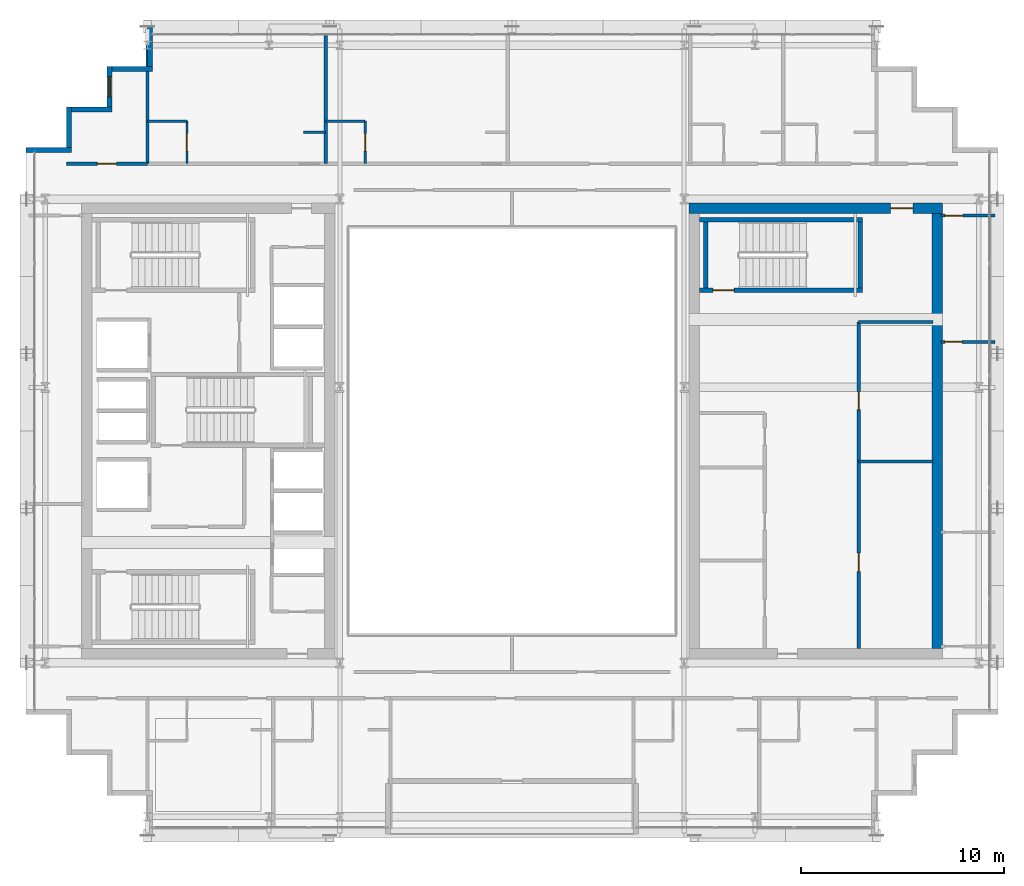
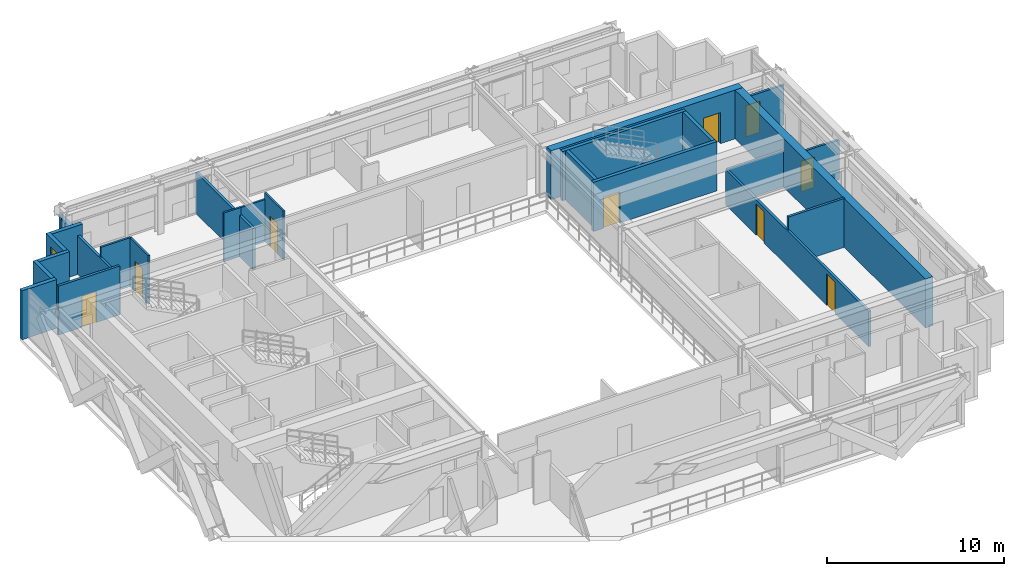
# One storey, part 27 of 32: 25 walls, 9 doors, 1 window, 10 openings.
"""IFC4 building model written with IfcOpenShell, lengths in metres."""

from ifc_helpers import new_model, si_unit, direction, frame, frame_2d, origin, place, context, subcontext, project, spatial, rectangle, extrude, source, transform, mapped, material, layer, layer_set, type_object, element, fill, save


model = new_model("IFC4")

# Units and contexts
model_context = context("Model", 3, precision=1e-05, world=origin(), true_north=direction((0.0, 1.0)))
body_context = subcontext(model_context, "Body", "Model", "MODEL_VIEW")
ifc_project = project(units=[si_unit("LENGTHUNIT", "METRE"), si_unit("AREAUNIT", "SQUARE_METRE"), si_unit("VOLUMEUNIT", "CUBIC_METRE"), si_unit("PLANEANGLEUNIT", "RADIAN"), si_unit("MASSUNIT", "GRAM", prefix="KILO")], contexts=[model_context])

# Site, building, storey
site_placement = place(None, origin())
site = spatial("IfcSite", under=ifc_project, at=site_placement, CompositionType="ELEMENT")
building_placement = place(site_placement, origin())
building = spatial("IfcBuilding", under=site, at=building_placement, Name="Ocotamira Hotel", CompositionType="ELEMENT")
storey_placement = place(building_placement, frame((0.0, 0.0, 177.60009765625)))
storey = spatial("IfcBuildingStorey", under=building, at=storey_placement, Name="L44", CompositionType="ELEMENT", Elevation=177.60009765625)

# Wall, opening, door
ifc_material_1 = material(Name="Concrete C50/60", Category="concrete")
ifc_layer_1 = layer(ifc_material_1, 0.5)
ifc_layer_set_1 = layer_set([ifc_layer_1], Name="Concrete C50/60")
wall_type_1 = type_object("IfcWallType", Name="WL-CORE-500", PredefinedType="SHEAR", material=ifc_layer_set_1)
wall_1_placement = place(storey_placement, frame((40.75, 37.0, 0.0), z_axis=(0.0, 0.0, 1.0), x_axis=(1.0, 0.0, 0.0)))
wall_1 = element("IfcWall", 1, at=wall_1_placement, inside=storey, type_object=wall_type_1, Name="L44 Shear Core Wall ECORE-N", PredefinedType="SHEAR", context=body_context, shape_type="SweptSolid", body=[
    extrude(rectangle(XDim=12.5, YDim=0.5, at=frame_2d((6.25, 0.0))), origin(), (0.0, 0.0, 1.0), 3.369873046875),
])
opening_1_placement = place(wall_1_placement, frame((9.949951171875, 0.0, 0.0)))
opening_1 = element("IfcOpeningElement", 2, at=opening_1_placement, cuts=wall_1, Name="Opening D-FR1", PredefinedType="OPENING", context=body_context, shape_type="SweptSolid", body=[
    extrude(rectangle(XDim=1.10009765625, YDim=2.14990234375, at=frame_2d((0.550048828125, 1.074951171875))), frame((0.0, 0.260009765625, 0.0), z_axis=(0.0, -1.0, 0.0), x_axis=(1.0, 0.0, 0.0)), (0.0, 0.0, 1.0), 0.52001953125),
])
ifc_material_2 = material(Name="Fire-rated acoustic timber-veneer door", Category="wood")
door_type_1 = type_object("IfcDoorType", Name="DR-FIRE-1100", OperationType="NOTDEFINED", PredefinedType="DOOR", material=ifc_material_2)
shared_shape_1 = source(origin(), body_context, "Body", "SweptSolid", [
    extrude(rectangle(XDim=1.10009765625, YDim=2.14990234375, at=frame_2d((0.550048828125, 1.074951171875))), frame((0.0, 0.02490234375, 0.0), z_axis=(0.0, -1.0, 0.0), x_axis=(1.0, 0.0, 0.0)), (0.0, 0.0, 1.0), 0.050048828125),
])
door_1_placement = place(opening_1_placement, origin())
door_1 = element("IfcDoor", 3, at=door_1_placement, inside=storey, type_object=door_type_1, Name="L44 Door ID-L44-ELOB-N-D [ID-L44-ELOB-N-D]", OperationType="SINGLE_SWING_LEFT", OverallHeight=2.14990234375, OverallWidth=1.10009765625, PredefinedType="DOOR", context=body_context, shape_type="MappedRepresentation", body=[
    mapped(shared_shape_1, transform((0.0, 0.0, 0.0), scale=1.0)),
])
fill(opening_1, door_1)

# Walls
wall_2_placement = place(storey_placement, frame((53.0, 15.25, 0.0), z_axis=(0.0, 0.0, 1.0), x_axis=(0.0, 1.0, 0.0)))
element("IfcWall", 4, at=wall_2_placement, inside=storey, type_object=wall_type_1, Name="L44 Shear Core Wall ECORE-E", PredefinedType="SHEAR", context=body_context, shape_type="SweptSolid", body=[
    extrude(rectangle(XDim=21.5, YDim=0.5, at=frame_2d((10.75, 0.0))), origin(), (0.0, 0.0, 1.0), 3.369873046875),
])
ifc_material_3 = material(Name="Precast concrete C45/55", Category="concrete")
ifc_layer_2 = layer(ifc_material_3, 0.25)
ifc_layer_set_2 = layer_set([ifc_layer_2], Name="Precast concrete C45/55")
wall_type_2 = type_object("IfcWallType", Name="WL-EXT-SER-250", PredefinedType="SOLIDWALL", material=ifc_layer_set_2)
wall_3_placement = place(storey_placement, frame((14.125, 46.0, 0.0), z_axis=(0.0, 0.0, 1.0), x_axis=(0.0, -1.0, 0.0)))
element("IfcWall", 5, at=wall_3_placement, inside=storey, type_object=wall_type_2, Name="L44 Serrated Corner Wall 13", PredefinedType="SOLIDWALL", context=body_context, shape_type="SweptSolid", body=[
    extrude(rectangle(XDim=2.0, YDim=0.25, at=frame_2d((1.0, 0.0))), origin(), (0.0, 0.0, 1.0), 2.677001953125),
])
wall_4_placement = place(storey_placement, frame((14.25, 43.875, 0.0), z_axis=(0.0, 0.0, 1.0), x_axis=(-1.0, 0.0, 0.0)))
element("IfcWall", 6, at=wall_4_placement, inside=storey, type_object=wall_type_2, Name="L44 Serrated Corner Wall 14", PredefinedType="SOLIDWALL", context=body_context, shape_type="SweptSolid", body=[
    extrude(rectangle(XDim=2.0, YDim=0.25, at=frame_2d((1.0, 0.0))), origin(), (0.0, 0.0, 1.0), 3.369873046875),
])

# Wall, opening, window
wall_5_placement = place(storey_placement, frame((12.125, 44.0, 0.0), z_axis=(0.0, 0.0, 1.0), x_axis=(0.0, -1.0, 0.0)))
wall_5 = element("IfcWall", 7, at=wall_5_placement, inside=storey, type_object=wall_type_2, Name="L44 Serrated Corner Wall 15", PredefinedType="SOLIDWALL", context=body_context, shape_type="SweptSolid", body=[
    extrude(rectangle(XDim=2.0, YDim=0.25, at=frame_2d((1.0, 0.0))), origin(), (0.0, 0.0, 1.0), 3.369873046875),
])
opening_2_placement = place(wall_5_placement, frame((0.5, 0.0, 0.85009765625)))
opening_2 = element("IfcOpeningElement", 8, at=opening_2_placement, cuts=wall_5, Name="Opening WN-2", PredefinedType="OPENING", context=body_context, shape_type="SweptSolid", body=[
    extrude(rectangle(XDim=1.0, YDim=1.89990234375, at=frame_2d((0.5, 0.949951171875))), frame((0.0, 0.135009765625, 0.0), z_axis=(0.0, -1.0, 0.0), x_axis=(1.0, 0.0, 0.0)), (0.0, 0.0, 1.0), 0.27001953125),
])
ifc_material_4 = material(Name="Double-silver low-E solar glass", Category="glass")
window_type = type_object("IfcWindowType", Name="WIN-SER-1100", PartitioningType="SINGLE_PANEL", PredefinedType="WINDOW", material=ifc_material_4)
shared_shape_2 = source(origin(), body_context, "Body", "SweptSolid", [
    extrude(rectangle(XDim=1.0, YDim=1.89990234375, at=frame_2d((0.5, 0.949951171875))), frame((0.0, 0.030029296875, 0.0), z_axis=(0.0, -1.0, 0.0), x_axis=(1.0, 0.0, 0.0)), (0.0, 0.0, 1.0), 0.06005859375),
])
window_placement = place(opening_2_placement, origin())
window = element("IfcWindow", 9, at=window_placement, inside=storey, type_object=window_type, Name="L44 Serrated Corner Window 15", OverallHeight=1.89990234375, OverallWidth=1.0, PartitioningType="SINGLE_PANEL", PredefinedType="WINDOW", context=body_context, shape_type="MappedRepresentation", body=[
    mapped(shared_shape_2, transform((0.0, 0.0, 0.0), scale=1.0)),
])
fill(opening_2, window)

# Walls
for number, where, z_axis, x_axis, name in (
    (10, (12.25, 41.875, 0.0), (0.0, 0.0, 1.0), (-1.0, 0.0, 0.0), "L44 Serrated Corner Wall 16"),
    (11, (10.125, 42.0, 0.0), (0.0, 0.0, 1.0), (0.0, -1.0, 0.0), "L44 Serrated Corner Wall 17"),
):
    element("IfcWall", number, at=place(storey_placement, frame(where, z_axis=z_axis, x_axis=x_axis)), inside=storey, type_object=wall_type_2, Name=name, PredefinedType="SOLIDWALL", context=body_context, shape_type="SweptSolid", body=[
        extrude(rectangle(XDim=2.0, YDim=0.25, at=frame_2d((1.0, 0.0))), origin(), (0.0, 0.0, 1.0), 3.369873046875),
    ])
wall_6_placement = place(storey_placement, frame((10.25, 39.875, 0.0), z_axis=(0.0, 0.0, 1.0), x_axis=(-1.0, 0.0, 0.0)))
element("IfcWall", 12, at=wall_6_placement, inside=storey, type_object=wall_type_2, Name="L44 Serrated Corner Wall 18", PredefinedType="SOLIDWALL", context=body_context, shape_type="SweptSolid", body=[
    extrude(rectangle(XDim=2.25, YDim=0.25, at=frame_2d((1.125, 0.0))), origin(), (0.0, 0.0, 1.0), 3.369873046875),
])
ifc_material_5 = material(Name="Acoustic double-layer fire gypsum board partition", Category="gypsum")
ifc_layer_3 = layer(ifc_material_5, 0.159912109375)
ifc_layer_set_3 = layer_set([ifc_layer_3], Name="Acoustic double-layer fire gypsum board partition")
wall_type_3 = type_object("IfcWallType", Name="WL-FIRE-160", PredefinedType="PARTITIONING", material=ifc_layer_set_3)
wall_7_placement = place(storey_placement, frame((49.1201171875, 31.3798828125, 0.0), z_axis=(0.0, 0.0, 1.0), x_axis=(1.0, 0.0, 0.0)))
element("IfcWall", 13, at=wall_7_placement, inside=storey, type_object=wall_type_3, Name="L44 Interior Wall PW-L44-EC-FLOW-N", PredefinedType="PARTITIONING", context=body_context, shape_type="SweptSolid", body=[
    extrude(rectangle(XDim=3.679931640625, YDim=0.159912109375, at=frame_2d((1.83984375, 0.0))), origin(), (0.0, 0.0, 1.0), 2.469970703125),
])

# Wall, openings, doors
wall_8_placement = place(storey_placement, frame((49.1201171875, 15.25, 0.0), z_axis=(0.0, 0.0, 1.0), x_axis=(0.0, 1.0, 0.0)))
wall_8 = element("IfcWall", 14, at=wall_8_placement, inside=storey, type_object=wall_type_3, Name="L44 Interior Wall PW-L44-EC-FLOW-W", PredefinedType="PARTITIONING", context=body_context, shape_type="SweptSolid", body=[
    extrude(rectangle(XDim=16.1298828125, YDim=0.159912109375, at=frame_2d((8.06494140625, 0.0))), origin(), (0.0, 0.0, 1.0), 2.44287109375),
])
opening_3_placement = place(wall_8_placement, frame((3.800048828125, 0.0, 0.0)))
opening_3 = element("IfcOpeningElement", 15, at=opening_3_placement, cuts=wall_8, Name="Opening D-SV3", PredefinedType="OPENING", context=body_context, shape_type="SweptSolid", body=[
    extrude(rectangle(XDim=0.919921875, YDim=2.14990234375, at=frame_2d((0.4599609375, 1.074951171875))), frame((0.0, 0.08984375, 0.0), z_axis=(0.0, -1.0, 0.0), x_axis=(1.0, 0.0, 0.0)), (0.0, 0.0, 1.0), 0.179931640625),
])
opening_4_placement = place(wall_8_placement, frame((11.800048828125, 0.0, 0.0)))
opening_4 = element("IfcOpeningElement", 16, at=opening_4_placement, cuts=wall_8, Name="Opening D-IN3", PredefinedType="OPENING", context=body_context, shape_type="SweptSolid", body=[
    extrude(rectangle(XDim=0.89990234375, YDim=2.14990234375, at=frame_2d((0.449951171875, 1.074951171875))), frame((0.0, 0.08984375, 0.0), z_axis=(0.0, -1.0, 0.0), x_axis=(1.0, 0.0, 0.0)), (0.0, 0.0, 1.0), 0.179931640625),
])
ifc_material_6 = material(Name="Painted service room door", Category="steel")
door_type_2 = type_object("IfcDoorType", Name="DR-INT-900", OperationType="NOTDEFINED", PredefinedType="DOOR", material=ifc_material_6)
shared_shape_3 = source(origin(), body_context, "Body", "SweptSolid", [
    extrude(rectangle(XDim=0.89990234375, YDim=2.14990234375, at=frame_2d((0.449951171875, 1.074951171875))), frame((0.0, 0.02490234375, 0.0), z_axis=(0.0, -1.0, 0.0), x_axis=(1.0, 0.0, 0.0)), (0.0, 0.0, 1.0), 0.050048828125),
])
door_2_placement = place(opening_4_placement, origin())
door_2 = element("IfcDoor", 17, at=door_2_placement, inside=storey, type_object=door_type_2, Name="L44 Door ID-L44-EC-FLOW-DB [ID-L44-EC-FLOW-DB]", OperationType="SINGLE_SWING_RIGHT", OverallHeight=2.14990234375, OverallWidth=0.89990234375, PredefinedType="DOOR", context=body_context, shape_type="MappedRepresentation", body=[
    mapped(shared_shape_3, transform((0.0, 0.0, 0.0), scale=1.0)),
])
fill(opening_4, door_2)
ifc_material_7 = material(Name="Fire-rated walnut hospitality door", Category="wood")
door_type_3 = type_object("IfcDoorType", Name="DR-SERV-920", OperationType="NOTDEFINED", PredefinedType="DOOR", material=ifc_material_7)
shared_shape_4 = source(origin(), body_context, "Body", "SweptSolid", [
    extrude(rectangle(XDim=0.919921875, YDim=2.14990234375, at=frame_2d((0.4599609375, 1.074951171875))), frame((0.0, 0.02490234375, 0.0), z_axis=(0.0, -1.0, 0.0), x_axis=(1.0, 0.0, 0.0)), (0.0, 0.0, 1.0), 0.050048828125),
])
door_3_placement = place(opening_3_placement, origin())
door_3 = element("IfcDoor", 18, at=door_3_placement, inside=storey, type_object=door_type_3, Name="L44 Door ID-L44-EC-FLOW-DA [ID-L44-EC-FLOW-DA]", OperationType="SINGLE_SWING_LEFT", OverallHeight=2.14990234375, OverallWidth=0.919921875, PredefinedType="DOOR", context=body_context, shape_type="MappedRepresentation", body=[
    mapped(shared_shape_4, transform((0.0, 0.0, 0.0), scale=1.0)),
])
fill(opening_3, door_3)

# Wall, opening, door
wall_9_placement = place(storey_placement, frame((10.0, 39.199951171875, 0.0), z_axis=(0.0, 0.0, 1.0), x_axis=(1.0, 0.0, 0.0)))
wall_9 = element("IfcWall", 19, at=wall_9_placement, inside=storey, type_object=wall_type_3, Name="L44 Interior Wall PW-L44-Z3B-CNW-CW", PredefinedType="PARTITIONING", context=body_context, shape_type="SweptSolid", body=[
    extrude(rectangle(XDim=4.0, YDim=0.159912109375, at=frame_2d((2.0, 0.0))), origin(), (0.0, 0.0, 1.0), 3.369873046875),
])
opening_5_placement = place(wall_9_placement, frame((1.52001953125, 0.0, 0.0)))
opening_5 = element("IfcOpeningElement", 20, at=opening_5_placement, cuts=wall_9, Name="Opening D-SV4", PredefinedType="OPENING", context=body_context, shape_type="SweptSolid", body=[
    extrude(rectangle(XDim=0.9599609375, YDim=2.14990234375, at=frame_2d((0.47998046875, 1.074951171875))), frame((0.0, 0.08984375, 0.0), z_axis=(0.0, -1.0, 0.0), x_axis=(1.0, 0.0, 0.0)), (0.0, 0.0, 1.0), 0.179931640625),
])
ifc_material_8 = material(Name="Fire-rated accessible walnut salon door", Category="wood")
door_type_4 = type_object("IfcDoorType", Name="DR-SERV-960", OperationType="NOTDEFINED", PredefinedType="DOOR", material=ifc_material_8)
shared_shape_5 = source(origin(), body_context, "Body", "SweptSolid", [
    extrude(rectangle(XDim=0.9599609375, YDim=2.14990234375, at=frame_2d((0.47998046875, 1.074951171875))), frame((0.0, 0.02490234375, 0.0), z_axis=(0.0, -1.0, 0.0), x_axis=(1.0, 0.0, 0.0)), (0.0, 0.0, 1.0), 0.050048828125),
])
door_4_placement = place(opening_5_placement, origin())
door_4 = element("IfcDoor", 21, at=door_4_placement, inside=storey, type_object=door_type_4, Name="L44 Door ID-L44-Z3B-CNW-CD [ID-L44-Z3B-CNW-CD]", OperationType="SINGLE_SWING_LEFT", OverallHeight=2.14990234375, OverallWidth=0.9599609375, PredefinedType="DOOR", context=body_context, shape_type="MappedRepresentation", body=[
    mapped(shared_shape_5, transform((0.0, 0.0, 0.0), scale=1.0)),
])
fill(opening_5, door_4)

ifc_material_9 = material(Name="Moisture-resistant en-suite tile and gypsum partition", Category="gypsum")
ifc_layer_4 = layer(ifc_material_9, 0.1201171875)
ifc_layer_set_4 = layer_set([ifc_layer_4], Name="Moisture-resistant en-suite tile and gypsum partition")
wall_type_4 = type_object("IfcWallType", Name="WL-PART-120", PredefinedType="PARTITIONING", material=ifc_layer_set_4)
wall_10_placement = place(storey_placement, frame((15.949951171875, 39.199951171875, 0.0), z_axis=(0.0, 0.0, 1.0), x_axis=(0.0, 1.0, 0.0)))
wall_10 = element("IfcWall", 22, at=wall_10_placement, inside=storey, type_object=wall_type_4, Name="L44 Interior Wall PW-L44-Z3BN-BAE1", PredefinedType="PARTITIONING", context=body_context, shape_type="SweptSolid", body=[
    extrude(rectangle(XDim=2.10009765625, YDim=0.1201171875, at=frame_2d((1.050048828125, 0.0))), origin(), (0.0, 0.0, 1.0), 3.369873046875),
])
opening_6_placement = place(wall_10_placement, frame((0.6201171875, 0.0, 0.0)))
opening_6 = element("IfcOpeningElement", 23, at=opening_6_placement, cuts=wall_10, Name="Opening D-BA1", PredefinedType="OPENING", context=body_context, shape_type="SweptSolid", body=[
    extrude(rectangle(XDim=0.860107421875, YDim=2.10009765625, at=frame_2d((0.43017578125, 1.050048828125))), frame((0.0, 0.070068359375, 0.0), z_axis=(0.0, -1.0, 0.0), x_axis=(1.0, 0.0, 0.0)), (0.0, 0.0, 1.0), 0.14013671875),
])
ifc_material_10 = material(Name="Moisture-sealed en-suite timber door", Category="wood")
door_type_5 = type_object("IfcDoorType", Name="DR-BATH-860", OperationType="NOTDEFINED", PredefinedType="DOOR", material=ifc_material_10)
shared_shape_6 = source(origin(), body_context, "Body", "SweptSolid", [
    extrude(rectangle(XDim=0.860107421875, YDim=2.10009765625, at=frame_2d((0.43017578125, 1.050048828125))), frame((0.0, 0.02490234375, 0.0), z_axis=(0.0, -1.0, 0.0), x_axis=(1.0, 0.0, 0.0)), (0.0, 0.0, 1.0), 0.050048828125),
])
door_5_placement = place(opening_6_placement, origin())
door_5 = element("IfcDoor", 24, at=door_5_placement, inside=storey, type_object=door_type_5, Name="L44 Door ID-L44-Z3BN-BAD1 [ID-L44-Z3BN-BAD1]", OperationType="SINGLE_SWING_RIGHT", OverallHeight=2.10009765625, OverallWidth=0.860107421875, PredefinedType="DOOR", context=body_context, shape_type="MappedRepresentation", body=[
    mapped(shared_shape_6, transform((0.0, 0.0, 0.0), scale=1.0)),
])
fill(opening_6, door_5)

# Walls
wall_11_placement = place(storey_placement, frame((14.0, 41.300048828125, 0.0), z_axis=(0.0, 0.0, 1.0), x_axis=(1.0, 0.0, 0.0)))
element("IfcWall", 25, at=wall_11_placement, inside=storey, type_object=wall_type_4, Name="L44 Interior Wall PW-L44-Z3BN-BAN1", PredefinedType="PARTITIONING", context=body_context, shape_type="SweptSolid", body=[
    extrude(rectangle(XDim=1.949951171875, YDim=0.1201171875, at=frame_2d((0.97509765625, 0.0))), origin(), (0.0, 0.0, 1.0), 3.369873046875),
])
wall_12_placement = place(storey_placement, frame((21.699951171875, 40.75, 0.0), z_axis=(0.0, 0.0, 1.0), x_axis=(1.0, 0.0, 0.0)))
element("IfcWall", 26, at=wall_12_placement, inside=storey, type_object=wall_type_4, Name="L44 Interior Wall PW-L44-Z3BN-DRN1", PredefinedType="PARTITIONING", context=body_context, shape_type="SweptSolid", body=[
    extrude(rectangle(XDim=1.10009765625, YDim=0.1201171875, at=frame_2d((0.550048828125, 0.0))), origin(), (0.0, 0.0, 1.0), 3.369873046875),
])

# Wall, opening, door
wall_13_placement = place(storey_placement, frame((24.75, 39.199951171875, 0.0), z_axis=(0.0, 0.0, 1.0), x_axis=(0.0, 1.0, 0.0)))
wall_13 = element("IfcWall", 27, at=wall_13_placement, inside=storey, type_object=wall_type_4, Name="L44 Interior Wall PW-L44-Z3BN-BAE2", PredefinedType="PARTITIONING", context=body_context, shape_type="SweptSolid", body=[
    extrude(rectangle(XDim=2.10009765625, YDim=0.1201171875, at=frame_2d((1.050048828125, 0.0))), origin(), (0.0, 0.0, 1.0), 3.369873046875),
])
opening_7_placement = place(wall_13_placement, frame((0.6201171875, 0.0, 0.0)))
opening_7 = element("IfcOpeningElement", 28, at=opening_7_placement, cuts=wall_13, Name="Opening D-BA1", PredefinedType="OPENING", context=body_context, shape_type="SweptSolid", body=[
    extrude(rectangle(XDim=0.860107421875, YDim=2.10009765625, at=frame_2d((0.43017578125, 1.050048828125))), frame((0.0, 0.070068359375, 0.0), z_axis=(0.0, -1.0, 0.0), x_axis=(1.0, 0.0, 0.0)), (0.0, 0.0, 1.0), 0.14013671875),
])
door_6_placement = place(opening_7_placement, origin())
door_6 = element("IfcDoor", 29, at=door_6_placement, inside=storey, type_object=door_type_5, Name="L44 Door ID-L44-Z3BN-BAD2 [ID-L44-Z3BN-BAD2]", OperationType="SINGLE_SWING_LEFT", OverallHeight=2.10009765625, OverallWidth=0.860107421875, PredefinedType="DOOR", context=body_context, shape_type="MappedRepresentation", body=[
    mapped(shared_shape_6, transform((0.0, 0.0, 0.0), scale=1.0)),
])
fill(opening_7, door_6)

# Wall
wall_14_placement = place(storey_placement, frame((22.800048828125, 41.300048828125, 0.0), z_axis=(0.0, 0.0, 1.0), x_axis=(1.0, 0.0, 0.0)))
element("IfcWall", 30, at=wall_14_placement, inside=storey, type_object=wall_type_4, Name="L44 Interior Wall PW-L44-Z3BN-BAN2", PredefinedType="PARTITIONING", context=body_context, shape_type="SweptSolid", body=[
    extrude(rectangle(XDim=1.949951171875, YDim=0.1201171875, at=frame_2d((0.97509765625, 0.0))), origin(), (0.0, 0.0, 1.0), 2.912841796875),
])

# Wall, opening, door
ifc_material_11 = material(Name="Acoustic hospitality gypsum board partition", Category="gypsum")
ifc_layer_5 = layer(ifc_material_11, 0.14208984375)
ifc_layer_set_5 = layer_set([ifc_layer_5], Name="Acoustic hospitality gypsum board partition")
wall_type_5 = type_object("IfcWallType", Name="WL-PART-142", PredefinedType="PARTITIONING", material=ifc_layer_set_5)
wall_15_placement = place(storey_placement, frame((53.179931640625, 30.39990234375, 0.0), z_axis=(0.0, 0.0, 1.0), x_axis=(1.0, 0.0, 0.0)))
wall_15 = element("IfcWall", 31, at=wall_15_placement, inside=storey, type_object=wall_type_5, Name="L44 Interior Wall PW-L44-Z3B-EF-DV2", PredefinedType="PARTITIONING", context=body_context, shape_type="SweptSolid", body=[
    extrude(rectangle(XDim=2.66015625, YDim=0.14208984375, at=frame_2d((1.330078125, 0.0))), origin(), (0.0, 0.0, 1.0), 2.7529296875),
])
opening_8_placement = place(wall_15_placement, frame((0.199951171875, 0.0, 0.0)))
opening_8 = element("IfcOpeningElement", 32, at=opening_8_placement, cuts=wall_15, Name="Opening D-SV1", PredefinedType="OPENING", context=body_context, shape_type="SweptSolid", body=[
    extrude(rectangle(XDim=0.840087890625, YDim=2.10009765625, at=frame_2d((0.419921875, 1.050048828125))), frame((0.0, 0.0810546875, 0.0), z_axis=(0.0, -1.0, 0.0), x_axis=(1.0, 0.0, 0.0)), (0.0, 0.0, 1.0), 0.162109375),
])
ifc_material_12 = material(Name="Fire-rated painted steel service door", Category="steel")
door_type_6 = type_object("IfcDoorType", Name="DR-SERV-840", OperationType="NOTDEFINED", PredefinedType="DOOR", material=ifc_material_12)
shared_shape_7 = source(origin(), body_context, "Body", "SweptSolid", [
    extrude(rectangle(XDim=0.840087890625, YDim=2.10009765625, at=frame_2d((0.419921875, 1.050048828125))), frame((0.0, 0.02490234375, 0.0), z_axis=(0.0, -1.0, 0.0), x_axis=(1.0, 0.0, 0.0)), (0.0, 0.0, 1.0), 0.050048828125),
])
door_7_placement = place(opening_8_placement, origin())
door_7 = element("IfcDoor", 33, at=door_7_placement, inside=storey, type_object=door_type_6, Name="L44 Door ID-L44-Z3B-EF-DV2D [ID-L44-Z3B-EF-DV2D]", OperationType="SINGLE_SWING_RIGHT", OverallHeight=2.10009765625, OverallWidth=0.840087890625, PredefinedType="DOOR", context=body_context, shape_type="MappedRepresentation", body=[
    mapped(shared_shape_7, transform((0.0, 0.0, 0.0), scale=1.0)),
])
fill(opening_8, door_7)

# Wall
ifc_layer_6 = layer(ifc_material_11, 0.14990234375)
ifc_layer_set_6 = layer_set([ifc_layer_6], Name="Acoustic hospitality gypsum board partition")
wall_type_6 = type_object("IfcWallType", Name="WL-PART-150", PredefinedType="PARTITIONING", material=ifc_layer_set_6)
wall_16_placement = place(storey_placement, frame((49.1201171875, 24.489990234375, 0.0), z_axis=(0.0, 0.0, 1.0), x_axis=(1.0, 0.0, 0.0)))
element("IfcWall", 34, at=wall_16_placement, inside=storey, type_object=wall_type_6, Name="L44 Interior Wall PW-L44-EC-FDIVA", PredefinedType="PARTITIONING", context=body_context, shape_type="SweptSolid", body=[
    extrude(rectangle(XDim=3.679931640625, YDim=0.14990234375, at=frame_2d((1.83984375, 0.0))), origin(), (0.0, 0.0, 1.0), 3.369873046875),
])

# Wall, opening, door
wall_17_placement = place(storey_placement, frame((53.179931640625, 36.639892578125, 0.0), z_axis=(0.0, 0.0, 1.0), x_axis=(1.0, 0.0, 0.0)))
wall_17 = element("IfcWall", 35, at=wall_17_placement, inside=storey, type_object=wall_type_6, Name="L44 Interior Wall PW-L44-Z3B-EF-WN", PredefinedType="PARTITIONING", context=body_context, shape_type="SweptSolid", body=[
    extrude(rectangle(XDim=2.66015625, YDim=0.14990234375, at=frame_2d((1.330078125, 0.0))), origin(), (0.0, 0.0, 1.0), 2.7529296875),
])
opening_9_placement = place(wall_17_placement, frame((0.199951171875, 0.0, 0.0)))
opening_9 = element("IfcOpeningElement", 36, at=opening_9_placement, cuts=wall_17, Name="Opening D-SV2", PredefinedType="OPENING", context=body_context, shape_type="SweptSolid", body=[
    extrude(rectangle(XDim=0.8798828125, YDim=2.14990234375, at=frame_2d((0.43994140625, 1.074951171875))), frame((0.0, 0.0849609375, 0.0), z_axis=(0.0, -1.0, 0.0), x_axis=(1.0, 0.0, 0.0)), (0.0, 0.0, 1.0), 0.169921875),
])
door_type_7 = type_object("IfcDoorType", Name="DR-SERV-880", OperationType="NOTDEFINED", PredefinedType="DOOR", material=ifc_material_12)
shared_shape_8 = source(origin(), body_context, "Body", "SweptSolid", [
    extrude(rectangle(XDim=0.8798828125, YDim=2.14990234375, at=frame_2d((0.43994140625, 1.074951171875))), frame((0.0, 0.02490234375, 0.0), z_axis=(0.0, -1.0, 0.0), x_axis=(1.0, 0.0, 0.0)), (0.0, 0.0, 1.0), 0.050048828125),
])
door_8_placement = place(opening_9_placement, origin())
door_8 = element("IfcDoor", 37, at=door_8_placement, inside=storey, type_object=door_type_7, Name="L44 Door ID-L44-Z3B-EF-DN [ID-L44-Z3B-EF-DN]", OperationType="SINGLE_SWING_LEFT", OverallHeight=2.14990234375, OverallWidth=0.8798828125, PredefinedType="DOOR", context=body_context, shape_type="MappedRepresentation", body=[
    mapped(shared_shape_8, transform((0.0, 0.0, 0.0), scale=1.0)),
])
fill(opening_9, door_8)

# Walls
ifc_material_13 = material(Name="Acoustic double-stud hospitality gypsum partition", Category="gypsum")
ifc_layer_7 = layer(ifc_material_13, 0.159912109375)
ifc_layer_set_7 = layer_set([ifc_layer_7], Name="Acoustic double-stud hospitality gypsum partition")
wall_type_7 = type_object("IfcWallType", Name="WL-PART-160", PredefinedType="PARTITIONING", material=ifc_layer_set_7)
wall_18_placement = place(storey_placement, frame((14.0, 39.199951171875, 0.0), z_axis=(0.0, 0.0, 1.0), x_axis=(0.0, 1.0, 0.0)))
element("IfcWall", 38, at=wall_18_placement, inside=storey, type_object=wall_type_7, Name="L44 Interior Wall PW-L44-Z3BN-PW0", PredefinedType="PARTITIONING", context=body_context, shape_type="SweptSolid", body=[
    extrude(rectangle(XDim=6.43994140625, YDim=0.159912109375, at=frame_2d((3.219970703125, 0.0))), origin(), (0.0, 0.0, 1.0), 2.677001953125),
])
ifc_material_14 = material(Name="Double-stud suite party gypsum partition", Category="gypsum")
ifc_layer_8 = layer(ifc_material_14, 0.175048828125)
ifc_layer_set_8 = layer_set([ifc_layer_8], Name="Double-stud suite party gypsum partition")
wall_type_8 = type_object("IfcWallType", Name="WL-PART-175", PredefinedType="PARTITIONING", material=ifc_layer_set_8)
wall_19_placement = place(storey_placement, frame((22.800048828125, 39.199951171875, 0.0), z_axis=(0.0, 0.0, 1.0), x_axis=(0.0, 1.0, 0.0)))
element("IfcWall", 39, at=wall_19_placement, inside=storey, type_object=wall_type_8, Name="L44 Interior Wall PW-L44-Z3BN-PW1", PredefinedType="PARTITIONING", context=body_context, shape_type="SweptSolid", body=[
    extrude(rectangle(XDim=6.43994140625, YDim=0.175048828125, at=frame_2d((3.219970703125, 0.0))), origin(), (0.0, 0.0, 1.0), 2.8330078125),
])

# Wall, opening, door
ifc_layer_9 = layer(ifc_material_1, 0.219970703125)
ifc_layer_set_9 = layer_set([ifc_layer_9], Name="Concrete C50/60")
wall_type_9 = type_object("IfcWallType", Name="WL-STAIR-220", PredefinedType="SHEAR", material=ifc_layer_set_9)
wall_20_placement = place(storey_placement, frame((41.25, 32.93994140625, 0.0), z_axis=(0.0, 0.0, 1.0), x_axis=(1.0, 0.0, 0.0)))
wall_20 = element("IfcWall", 40, at=wall_20_placement, inside=storey, type_object=wall_type_9, Name="L44 Stair Shaft Structural Wall ST-4-S", PredefinedType="SHEAR", context=body_context, shape_type="SweptSolid", body=[
    extrude(rectangle(XDim=8.06005859375, YDim=0.219970703125, at=frame_2d((4.030029296875, 0.0))), origin(), (0.0, 0.0, 1.0), 3.39990234375),
])
opening_10_placement = place(wall_20_placement, frame((0.669921875, 0.0, 0.0)))
opening_10 = element("IfcOpeningElement", 41, at=opening_10_placement, cuts=wall_20, Name="Opening D-ST2", PredefinedType="OPENING", context=body_context, shape_type="SweptSolid", body=[
    extrude(rectangle(XDim=1.050048828125, YDim=2.14990234375, at=frame_2d((0.52490234375, 1.074951171875))), frame((0.0, 0.1201171875, 0.0), z_axis=(0.0, -1.0, 0.0), x_axis=(1.0, 0.0, 0.0)), (0.0, 0.0, 1.0), 0.239990234375),
])
ifc_material_15 = material(Name="Insulated painted hollow-metal fire exit door", Category="steel")
door_type_8 = type_object("IfcDoorType", Name="DR-STAIR-1050", OperationType="NOTDEFINED", PredefinedType="DOOR", material=ifc_material_15)
shared_shape_9 = source(origin(), body_context, "Body", "SweptSolid", [
    extrude(rectangle(XDim=1.050048828125, YDim=2.14990234375, at=frame_2d((0.52490234375, 1.074951171875))), frame((0.0, 0.02490234375, 0.0), z_axis=(0.0, -1.0, 0.0), x_axis=(1.0, 0.0, 0.0)), (0.0, 0.0, 1.0), 0.050048828125),
])
door_9_placement = place(opening_10_placement, origin())
door_9 = element("IfcDoor", 42, at=door_9_placement, inside=storey, type_object=door_type_8, Name="L44 Door ID-L44-STD-ST-4 [ID-L44-STD-ST-4]", OperationType="SINGLE_SWING_RIGHT", OverallHeight=2.14990234375, OverallWidth=1.050048828125, PredefinedType="DOOR", context=body_context, shape_type="MappedRepresentation", body=[
    mapped(shared_shape_9, transform((0.0, 0.0, 0.0), scale=1.0)),
])
fill(opening_10, door_9)

# Walls
wall_21_placement = place(storey_placement, frame((41.25, 36.43994140625, 0.0), z_axis=(0.0, 0.0, 1.0), x_axis=(1.0, 0.0, 0.0)))
element("IfcWall", 43, at=wall_21_placement, inside=storey, type_object=wall_type_9, Name="L44 Stair Shaft Structural Wall ST-4-N", PredefinedType="SHEAR", context=body_context, shape_type="SweptSolid", body=[
    extrude(rectangle(XDim=8.06005859375, YDim=0.219970703125, at=frame_2d((4.030029296875, 0.0))), origin(), (0.0, 0.0, 1.0), 3.39990234375),
])
for number, where, z_axis, x_axis, name in (
    (44, (41.56005859375, 33.050048828125, 0.0), (0.0, 0.0, 1.0), (0.0, 1.0, 0.0), "L44 Stair Shaft Structural Wall ST-4-W"),
    (45, (49.199951171875, 33.050048828125, 0.0), (0.0, 0.0, 1.0), (0.0, 1.0, 0.0), "L44 Stair Shaft Structural Wall ST-4-E"),
):
    element("IfcWall", number, at=place(storey_placement, frame(where, z_axis=z_axis, x_axis=x_axis)), inside=storey, type_object=wall_type_9, Name=name, PredefinedType="SHEAR", context=body_context, shape_type="SweptSolid", body=[
        extrude(rectangle(XDim=3.280029296875, YDim=0.219970703125, at=frame_2d((1.64013671875, 0.0))), origin(), (0.0, 0.0, 1.0), 3.39990234375),
    ])

save(model, "model.ifc")
